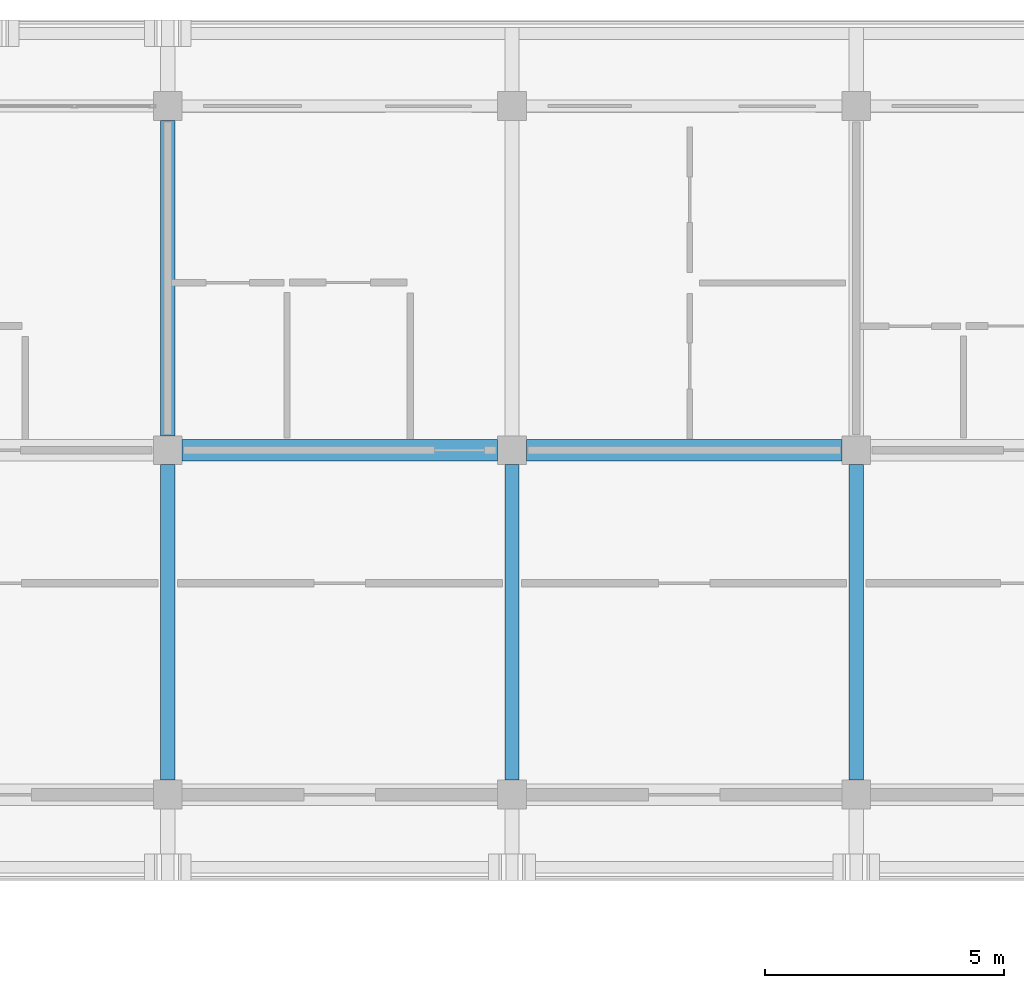
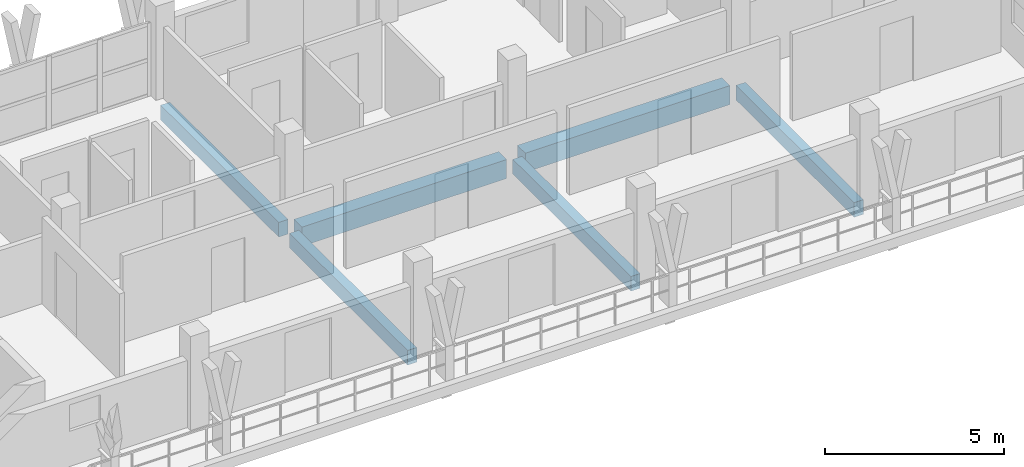
# One storey, part 16 of 65: 6 beams.
"""IFC4 building model written with IfcOpenShell, lengths in metres."""

from ifc_helpers import new_model, si_unit, direction, frame, origin, origin_2d, place, context, subcontext, project, spatial, rectangle, extrude, material, material_profile, profile_set, type_object, element, save


model = new_model("IFC4")

# Units and contexts
model_context = context("Model", 3, precision=1e-05, world=origin(), true_north=direction((0.0, 1.0)))
body_context = subcontext(model_context, "Body", "Model", "MODEL_VIEW")
ifc_project = project(units=[si_unit("LENGTHUNIT", "METRE"), si_unit("AREAUNIT", "SQUARE_METRE"), si_unit("VOLUMEUNIT", "CUBIC_METRE"), si_unit("PLANEANGLEUNIT", "RADIAN"), si_unit("MASSUNIT", "GRAM", prefix="KILO")], contexts=[model_context])

# Site, building, storey
site_placement = place(None, origin())
site = spatial("IfcSite", under=ifc_project, at=site_placement, CompositionType="ELEMENT")
building_placement = place(site_placement, origin())
building = spatial("IfcBuilding", under=site, at=building_placement, Name="Suanplinth Sawtooth Commons", CompositionType="ELEMENT")
storey_placement = place(building_placement, frame((0.0, 0.0, 28.300048828125)))
storey = spatial("IfcBuildingStorey", under=building, at=storey_placement, Name="L08", CompositionType="ELEMENT", Elevation=28.300048828125)

# Beams
ifc_material = material(Name="Precast concrete C40/50", Category="concrete")
ifc_material_profile_1 = material_profile(ifc_material, rectangle(XDim=0.449951171875, YDim=0.64990234375, at=origin_2d()), Name="PC-GDR 450x650")
ifc_profile_set_1 = profile_set([ifc_material_profile_1], Name="Precast concrete C40/50")
beam_type_1 = type_object("IfcBeamType", Name="B-04", PredefinedType="USERDEFINED", material=ifc_profile_set_1)
for number, where, z_axis, x_axis, name in (
    (1, (79.5, 115.199951171875, -0.53515625), (1.0, 0.0, 0.0), (0.0, 1.0, 0.0), "BMX-L08-A-11-16"),
    (2, (86.699951171875, 115.199951171875, -0.53515625), (1.0, 0.0, 0.0), (0.0, 1.0, 0.0), "BMX-L08-A-12-16"),
):
    element("IfcBeam", number, at=place(storey_placement, frame(where, z_axis=z_axis, x_axis=x_axis)), inside=storey, type_object=beam_type_1, Name=name, ObjectType="GIRDER", PredefinedType="USERDEFINED", context=body_context, shape_type="SweptSolid", body=[
        extrude(rectangle(XDim=0.449951171875, YDim=0.64990234375, at=origin_2d()), origin(), (0.0, 0.0, 1.0), 6.60009765625),
    ])
ifc_material_profile_2 = material_profile(ifc_material, rectangle(XDim=0.300048828125, YDim=0.5, at=origin_2d()), Name="PC-BM 300x500")
ifc_profile_set_2 = profile_set([ifc_material_profile_2], Name="Precast concrete C40/50")
beam_type_2 = type_object("IfcBeamType", Name="B-07", PredefinedType="BEAM", material=ifc_profile_set_2)
beam_1_placement = place(storey_placement, frame((79.199951171875, 108.300048828125, -0.4599609375), z_axis=(0.0, 1.0, 0.0), x_axis=(-1.0, 0.0, 0.0)))
element("IfcBeam", 3, at=beam_1_placement, inside=storey, type_object=beam_type_2, Name="BMY-L08-A-11-15", PredefinedType="BEAM", context=body_context, shape_type="SweptSolid", body=[
    extrude(rectangle(XDim=0.300048828125, YDim=0.5, at=origin_2d()), origin(), (0.0, 0.0, 1.0), 6.599853515625),
])
beam_2_placement = place(storey_placement, frame((79.199951171875, 115.5, -0.4599609375), z_axis=(0.0, 1.0, 0.0), x_axis=(-1.0, 0.0, 0.0)))
element("IfcBeam", 4, at=beam_2_placement, inside=storey, type_object=beam_type_2, Name="BMY-L08-A-11-16", PredefinedType="BEAM", context=body_context, shape_type="SweptSolid", body=[
    extrude(rectangle(XDim=0.300048828125, YDim=0.5, at=origin_2d()), origin(), (0.0, 0.0, 1.0), 6.60009765625),
])
for number, where, z_axis, x_axis, name in (
    (5, (86.39990234375, 108.300048828125, -0.4599609375), (0.0, 1.0, 0.0), (-1.0, 0.0, 0.0), "BMY-L08-A-12-15"),
    (6, (93.60009765625, 108.300048828125, -0.4599609375), (0.0, 1.0, 0.0), (-1.0, 0.0, 0.0), "BMY-L08-A-13-15"),
):
    element("IfcBeam", number, at=place(storey_placement, frame(where, z_axis=z_axis, x_axis=x_axis)), inside=storey, type_object=beam_type_2, Name=name, PredefinedType="BEAM", context=body_context, shape_type="SweptSolid", body=[
        extrude(rectangle(XDim=0.300048828125, YDim=0.5, at=origin_2d()), origin(), (0.0, 0.0, 1.0), 6.599853515625),
    ])

save(model, "model.ifc")
